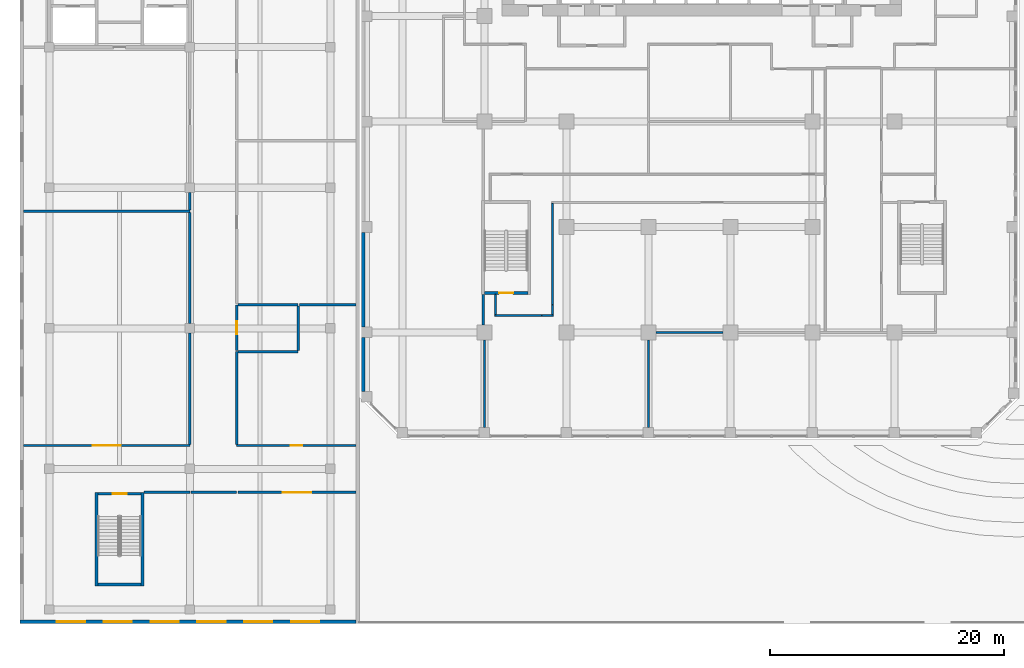
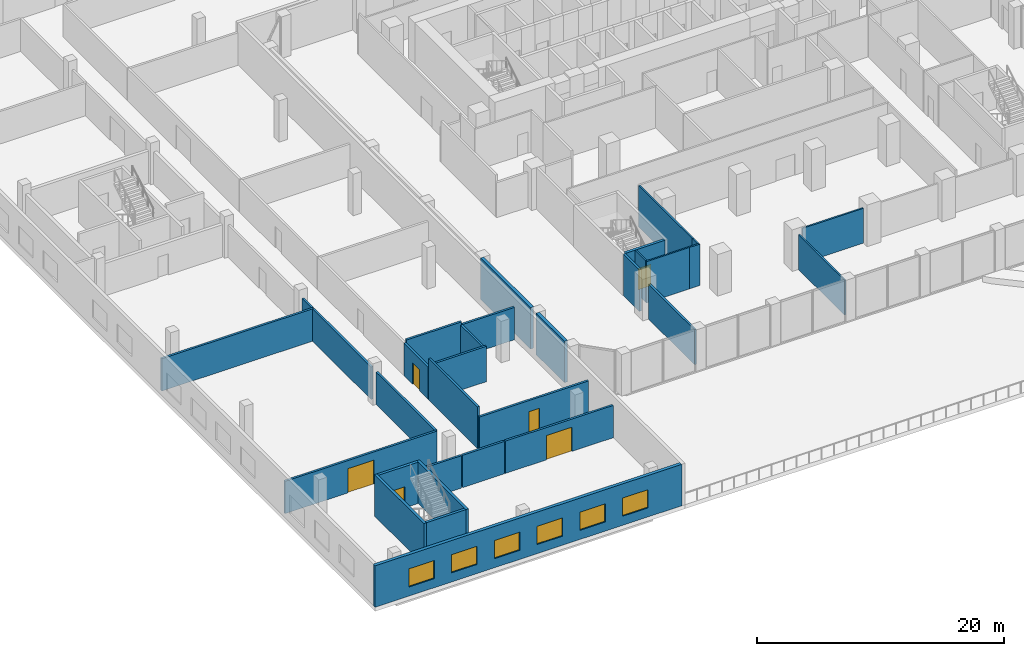
# One storey, part 17 of 38: 32 walls, 6 doors, 6 windows, 12 openings.
"""IFC4 building model written with IfcOpenShell, lengths in metres."""

from ifc_helpers import new_model, si_unit, direction, frame, frame_2d, origin, place, context, subcontext, project, spatial, rectangle, extrude, source, transform, mapped, material, layer, layer_set, type_object, element, fill, save


model = new_model("IFC4")

# Units and contexts
model_context = context("Model", 3, precision=1e-05, world=origin(), true_north=direction((0.0, 1.0)))
body_context = subcontext(model_context, "Body", "Model", "MODEL_VIEW")
ifc_project = project(units=[si_unit("LENGTHUNIT", "METRE"), si_unit("AREAUNIT", "SQUARE_METRE"), si_unit("VOLUMEUNIT", "CUBIC_METRE"), si_unit("PLANEANGLEUNIT", "RADIAN"), si_unit("MASSUNIT", "GRAM", prefix="KILO")], contexts=[model_context])

# Site, building, storey
site_placement = place(None, origin())
site = spatial("IfcSite", under=ifc_project, at=site_placement, CompositionType="ELEMENT")
building_placement = place(site_placement, origin())
building = spatial("IfcBuilding", under=site, at=building_placement, Name="Kilnfold Tower and Market Hall", CompositionType="ELEMENT")
storey_placement = place(building_placement, frame((0.0, 0.0, 9.0)))
storey = spatial("IfcBuildingStorey", under=building, at=storey_placement, Name="L01", CompositionType="ELEMENT", Elevation=9.0)

# Walls
ifc_material_1 = material(Name="Gypsum board on steel studs", Category="steel")
ifc_layer_1 = layer(ifc_material_1, 0.14990234375)
ifc_layer_set_1 = layer_set([ifc_layer_1], Name="Gypsum board on steel studs")
wall_type_1 = type_object("IfcWallType", Name="WALL CORRIDOR 150", PredefinedType="PARTITIONING", material=ifc_layer_set_1)
wall_1_placement = place(storey_placement, frame((-3.5, -27.10009765625, 0.0), z_axis=(0.0, 0.0, 1.0), x_axis=(0.0, 1.0, 0.0)))
element("IfcWall", 1, at=wall_1_placement, inside=storey, type_object=wall_type_1, Name="Partition LY02.2", PredefinedType="PARTITIONING", context=body_context, shape_type="SweptSolid", body=[
    extrude(rectangle(XDim=7.4501953125, YDim=0.14990234375, at=frame_2d((3.72509765625, 0.0))), origin(), (0.0, 0.0, 1.0), 3.449951171875),
])
wall_2_placement = place(storey_placement, frame((-2.85009765625, -19.0, 0.0), z_axis=(0.0, 0.0, 1.0), x_axis=(1.0, 0.0, 0.0)))
element("IfcWall", 2, at=wall_2_placement, inside=storey, type_object=wall_type_1, Name="Partition LY02.3", PredefinedType="PARTITIONING", context=body_context, shape_type="SweptSolid", body=[
    extrude(rectangle(XDim=5.7001953125, YDim=0.14990234375, at=frame_2d((2.85009765625, 0.0))), origin(), (0.0, 0.0, 1.0), 3.449951171875),
])
wall_3_placement = place(storey_placement, frame((-16.625, -17.550048828125, 0.0), z_axis=(0.0, 0.0, 1.0), x_axis=(1.0, 0.0, 0.0)))
element("IfcWall", 3, at=wall_3_placement, inside=storey, type_object=wall_type_1, Name="Partition LY02.17", PredefinedType="PARTITIONING", context=body_context, shape_type="SweptSolid", body=[
    extrude(rectangle(XDim=4.02294921875, YDim=0.14990234375, at=frame_2d((2.011474609375, 0.0))), origin(), (0.0, 0.0, 1.0), 4.10009765625),
])
wall_4_placement = place(storey_placement, frame((-16.550048828125, -15.75, 0.0), z_axis=(0.0, 0.0, 1.0), x_axis=(0.0, -1.0, 0.0)))
element("IfcWall", 4, at=wall_4_placement, inside=storey, type_object=wall_type_1, Name="Partition LY02.18", PredefinedType="PARTITIONING", context=body_context, shape_type="SweptSolid", body=[
    extrude(rectangle(XDim=1.72509765625, YDim=0.14990234375, at=frame_2d((0.862548828125, 0.0))), origin(), (0.0, 0.0, 1.0), 4.10009765625),
])
wall_5_placement = place(storey_placement, frame((-11.699951171875, -16.64794921875, 0.0), z_axis=(0.0, 0.0, 1.0), x_axis=(0.0, 1.0, 0.0)))
element("IfcWall", 5, at=wall_5_placement, inside=storey, type_object=wall_type_1, Name="Partition LY02.20", PredefinedType="PARTITIONING", context=body_context, shape_type="SweptSolid", body=[
    extrude(rectangle(XDim=8.6728515625, YDim=0.14990234375, at=frame_2d((4.33642578125, 0.0))), origin(), (0.0, 0.0, 1.0), 4.10009765625),
])
wall_6_placement = place(storey_placement, frame((-11.697998046875, -17.47705078125, 0.0), z_axis=(0.0, 0.0, 1.0), x_axis=(0.0, 1.0, 0.0)))
element("IfcWall", 6, at=wall_6_placement, inside=storey, type_object=wall_type_1, Name="Partition LY02.21", PredefinedType="PARTITIONING", context=body_context, shape_type="SweptSolid", body=[
    extrude(rectangle(XDim=0.8291015625, YDim=0.14990234375, at=frame_2d((0.41455078125, 0.0))), origin(), (0.0, 0.0, 1.0), 4.10009765625),
])
wall_7_placement = place(storey_placement, frame((-12.60205078125, -17.552001953125, 0.0), z_axis=(0.0, 0.0, 1.0), x_axis=(1.0, 0.0, 0.0)))
element("IfcWall", 7, at=wall_7_placement, inside=storey, type_object=wall_type_1, Name="Partition LY02.22", PredefinedType="PARTITIONING", context=body_context, shape_type="SweptSolid", body=[
    extrude(rectangle(XDim=0.97900390625, YDim=0.14990234375, at=frame_2d((0.489501953125, 0.0))), origin(), (0.0, 0.0, 1.0), 4.10009765625),
])
ifc_material_2 = material(Name="Gypsum board on steel studs", Category="steel")
ifc_layer_2 = layer(ifc_material_2, 0.199951171875)
ifc_layer_set_2 = layer_set([ifc_layer_2], Name="Gypsum board on steel studs")
wall_type_2 = type_object("IfcWallType", Name="WALL PARTY 200", PredefinedType="PARTITIONING", material=ifc_layer_set_2)
wall_8_placement = place(storey_placement, frame((-17.60009765625, -18.35009765625, 0.0), z_axis=(0.0, 0.0, 1.0), x_axis=(0.0, 1.0, 0.0)))
element("IfcWall", 8, at=wall_8_placement, inside=storey, type_object=wall_type_2, Name="Partition LY02.46", PredefinedType="PARTITIONING", context=body_context, shape_type="SweptSolid", body=[
    extrude(rectangle(XDim=2.60009765625, YDim=0.199951171875, at=frame_2d((1.300048828125, 0.0))), origin(), (0.0, 0.0, 1.0), 4.10009765625),
])
wall_9_placement = place(storey_placement, frame((-17.5, -27.10009765625, 0.0), z_axis=(0.0, 0.0, 1.0), x_axis=(0.0, 1.0, 0.0)))
element("IfcWall", 9, at=wall_9_placement, inside=storey, type_object=wall_type_2, Name="Partition LY02.47", PredefinedType="PARTITIONING", context=body_context, shape_type="SweptSolid", body=[
    extrude(rectangle(XDim=7.4501953125, YDim=0.199951171875, at=frame_2d((3.72509765625, 0.0))), origin(), (0.0, 0.0, 1.0), 3.449951171875),
])

# Wall, opening, door
ifc_material_3 = material(Name="Concrete C80", Category="concrete")
ifc_layer_3 = layer(ifc_material_3, 0.25)
ifc_layer_set_3 = layer_set([ifc_layer_3], Name="Concrete C80")
wall_type_3 = type_object("IfcWallType", Name="CORE WALL 250 C80", PredefinedType="SHEAR", material=ifc_layer_set_3)
shared_shape_1 = source(origin(), body_context, "Body", "SweptSolid", [
    extrude(rectangle(XDim=3.699951171875, YDim=0.25, at=frame_2d((1.85009765625, 0.0))), origin(), (0.0, 0.0, 1.0), 4.10009765625),
])
wall_10_placement = place(storey_placement, frame((-17.5, -15.625, 0.0), z_axis=(0.0, 0.0, 1.0), x_axis=(1.0, 0.0, 0.0)))
wall_10 = element("IfcWall", 10, at=wall_10_placement, inside=storey, type_object=wall_type_3, Name="Stair enclosure ST3", PredefinedType="SHEAR", context=body_context, shape_type="MappedRepresentation", body=[
    mapped(shared_shape_1, transform((0.0, 0.0, 0.0))),
])
opening_1_placement = place(wall_10_placement, frame((1.25, 0.0, 0.0)))
opening_1 = element("IfcOpeningElement", 11, at=opening_1_placement, cuts=wall_10, Name="Opening SD1", PredefinedType="OPENING", context=body_context, shape_type="SweptSolid", body=[
    extrude(rectangle(XDim=1.199951171875, YDim=2.10009765625, at=frame_2d((0.60009765625, 1.050048828125))), frame((0.0, 0.135009765625, 0.0), z_axis=(0.0, -1.0, 0.0), x_axis=(1.0, 0.0, 0.0)), (0.0, 0.0, 1.0), 0.27001953125),
])
ifc_material_4 = material(Name="Steel door set with fire-resisting leaf", Category="steel")
door_type_1 = type_object("IfcDoorType", Name="STAIR FLOOR DOOR 1200X2100", OperationType="NOTDEFINED", PredefinedType="DOOR", material=ifc_material_4)
door_1_placement = place(opening_1_placement, origin())
door_1 = element("IfcDoor", 12, at=door_1_placement, inside=storey, type_object=door_type_1, Name="Exit stair ST3 door", OperationType="DOUBLE_DOOR_SINGLE_SWING", OverallHeight=2.10009765625, OverallWidth=1.199951171875, PredefinedType="DOOR", context=body_context, shape_type="SweptSolid", body=[
    extrude(rectangle(XDim=1.199951171875, YDim=2.10009765625, at=frame_2d((0.60009765625, 1.050048828125))), frame((0.0, 0.02490234375, 0.0), z_axis=(0.0, -1.0, 0.0), x_axis=(1.0, 0.0, 0.0)), (0.0, 0.0, 1.0), 0.050048828125),
])
fill(opening_1, door_1)

# Wall
ifc_material_5 = material(Name="Concrete C50/60", Category="concrete")
ifc_layer_4 = layer(ifc_material_5, 0.25)
ifc_layer_set_4 = layer_set([ifc_layer_4], Name="Concrete C50/60")
wall_type_4 = type_object("IfcWallType", Name="HALL CORE WALL 250", PredefinedType="SHEAR", material=ifc_layer_set_4)
wall_11_placement = place(storey_placement, frame((-50.5, -40.52490234375, 0.0), z_axis=(0.0, 0.0, 1.0), x_axis=(1.0, 0.0, 0.0)))
element("IfcWall", 13, at=wall_11_placement, inside=storey, type_object=wall_type_4, Name="Core wall MS1", PredefinedType="SHEAR", context=body_context, shape_type="MappedRepresentation", body=[
    mapped(shared_shape_1, transform((0.0, 0.0, 0.0))),
])

# Wall, opening, door
wall_12_placement = place(storey_placement, frame((-50.5, -32.77490234375, 0.0), z_axis=(0.0, 0.0, 1.0), x_axis=(1.0, 0.0, 0.0)))
wall_12 = element("IfcWall", 14, at=wall_12_placement, inside=storey, type_object=wall_type_4, Name="Core wall MS1", PredefinedType="SHEAR", context=body_context, shape_type="MappedRepresentation", body=[
    mapped(shared_shape_1, transform((0.0, 0.0, 0.0))),
])
opening_2_placement = place(wall_12_placement, frame((1.25, 0.0, 0.0)))
opening_2 = element("IfcOpeningElement", 15, at=opening_2_placement, cuts=wall_12, Name="Opening MD9-60", PredefinedType="OPENING", context=body_context, shape_type="SweptSolid", body=[
    extrude(rectangle(XDim=1.199951171875, YDim=2.10009765625, at=frame_2d((0.60009765625, 1.050048828125))), frame((0.0, 0.135009765625, 0.0), z_axis=(0.0, -1.0, 0.0), x_axis=(1.0, 0.0, 0.0)), (0.0, 0.0, 1.0), 0.27001953125),
])
ifc_material_6 = material(Name="Steel S355", Category="steel")
door_type_2 = type_object("IfcDoorType", Name="HALL DOOR STAIR 1200X2100 FD60", OperationType="NOTDEFINED", PredefinedType="DOOR", material=ifc_material_6)
door_2_placement = place(opening_2_placement, origin())
door_2 = element("IfcDoor", 16, at=door_2_placement, inside=storey, type_object=door_type_2, Name="Door MD9-60", OperationType="DOUBLE_DOOR_SINGLE_SWING", OverallHeight=2.10009765625, OverallWidth=1.199951171875, PredefinedType="DOOR", context=body_context, shape_type="SweptSolid", body=[
    extrude(rectangle(XDim=1.199951171875, YDim=2.10009765625, at=frame_2d((0.60009765625, 1.050048828125))), frame((0.0, 0.02490234375, 0.0), z_axis=(0.0, -1.0, 0.0), x_axis=(1.0, 0.0, 0.0)), (0.0, 0.0, 1.0), 0.050048828125),
])
fill(opening_2, door_2)

# Walls
shared_shape_2 = source(origin(), body_context, "Body", "SweptSolid", [
    extrude(rectangle(XDim=8.0, YDim=0.25, at=frame_2d((4.0, 0.0))), origin(), (0.0, 0.0, 1.0), 4.10009765625),
])
for number, where, z_axis, x_axis, name in (
    (17, (-50.625, -40.64990234375, 0.0), (0.0, 0.0, 1.0), (0.0, 1.0, 0.0), "Core wall MS1"),
    (18, (-46.675048828125, -40.64990234375, 0.0), (0.0, 0.0, 1.0), (0.0, 1.0, 0.0), "Core wall MS1"),
):
    element("IfcWall", number, at=place(storey_placement, frame(where, z_axis=z_axis, x_axis=x_axis)), inside=storey, type_object=wall_type_4, Name=name, PredefinedType="SHEAR", context=body_context, shape_type="MappedRepresentation", body=[
        mapped(shared_shape_2, transform((0.0, 0.0, 0.0))),
    ])
ifc_material_7 = material(Name="Precast concrete C50/60", Category="concrete")
ifc_layer_5 = layer(ifc_material_7, 0.300048828125)
ifc_layer_set_5 = layer_set([ifc_layer_5], Name="Precast concrete C50/60")
wall_type_5 = type_object("IfcWallType", Name="PRECAST WALL 300", PredefinedType="SOLIDWALL", material=ifc_layer_set_5)
shared_shape_3 = source(origin(), body_context, "Body", "SweptSolid", [
    extrude(rectangle(XDim=8.10009765625, YDim=0.300048828125, at=frame_2d((4.050048828125, 0.0))), origin(), (0.0, 0.0, 1.0), 4.10009765625),
])
wall_13_placement = place(storey_placement, frame((-27.85009765625, -10.449951171875, 0.0), z_axis=(0.0, 0.0, 1.0), x_axis=(0.0, -1.0, 0.0)))
element("IfcWall", 19, at=wall_13_placement, inside=storey, type_object=wall_type_5, Name="Party wall L01 W", PredefinedType="SOLIDWALL", context=body_context, shape_type="MappedRepresentation", body=[
    mapped(shared_shape_3, transform((0.0, 0.0, 0.0))),
])
shared_shape_4 = source(origin(), body_context, "Body", "SweptSolid", [
    extrude(rectangle(XDim=4.60009765625, YDim=0.300048828125, at=frame_2d((2.300048828125, 0.0))), origin(), (0.0, 0.0, 1.0), 4.10009765625),
])
wall_14_placement = place(storey_placement, frame((-27.85009765625, -19.449951171875, 0.0), z_axis=(0.0, 0.0, 1.0), x_axis=(0.0, -1.0, 0.0)))
element("IfcWall", 20, at=wall_14_placement, inside=storey, type_object=wall_type_5, Name="Party wall L01 W", PredefinedType="SOLIDWALL", context=body_context, shape_type="MappedRepresentation", body=[
    mapped(shared_shape_4, transform((0.0, 0.0, 0.0))),
])

# Wall, openings, windows
ifc_material_8 = material(Name="Concrete blockwork", Category="masonry")
ifc_layer_6 = layer(ifc_material_8, 0.300048828125)
ifc_layer_set_6 = layer_set([ifc_layer_6], Name="Concrete blockwork")
wall_type_6 = type_object("IfcWallType", Name="HALL EXTERNAL WALL 300 EI 60", PredefinedType="SOLIDWALL", material=ifc_layer_set_6)
shared_shape_5 = source(origin(), body_context, "Body", "SweptSolid", [
    extrude(rectangle(XDim=28.699951171875, YDim=0.300048828125, at=frame_2d((14.35009765625, 0.0))), origin(), (0.0, 0.0, 1.0), 4.10009765625),
])
wall_15_placement = place(storey_placement, frame((-28.449951171875, -43.699951171875, 0.0), z_axis=(0.0, 0.0, 1.0), x_axis=(-1.0, 0.0, 0.0)))
wall_15 = element("IfcWall", 21, at=wall_15_placement, inside=storey, type_object=wall_type_6, Name="External wall MEW-L01.6", PredefinedType="SOLIDWALL", context=body_context, shape_type="MappedRepresentation", body=[
    mapped(shared_shape_5, transform((0.0, 0.0, 0.0))),
])
opening_3_placement = place(wall_15_placement, frame((3.14990234375, 0.0, 0.89990234375)))
opening_3 = element("IfcOpeningElement", 22, at=opening_3_placement, cuts=wall_15, Name="Opening MEN3", PredefinedType="OPENING", context=body_context, shape_type="SweptSolid", body=[
    extrude(rectangle(XDim=2.39990234375, YDim=1.800048828125, at=frame_2d((1.199951171875, 0.89990234375))), frame((0.0, 0.16015625, 0.0), z_axis=(0.0, -1.0, 0.0), x_axis=(1.0, 0.0, 0.0)), (0.0, 0.0, 1.0), 0.320068359375),
])
opening_4_placement = place(wall_15_placement, frame((7.14990234375, 0.0, 0.89990234375)))
opening_4 = element("IfcOpeningElement", 23, at=opening_4_placement, cuts=wall_15, Name="Opening MEN3", PredefinedType="OPENING", context=body_context, shape_type="SweptSolid", body=[
    extrude(rectangle(XDim=2.39990234375, YDim=1.800048828125, at=frame_2d((1.199951171875, 0.89990234375))), frame((0.0, 0.16015625, 0.0), z_axis=(0.0, -1.0, 0.0), x_axis=(1.0, 0.0, 0.0)), (0.0, 0.0, 1.0), 0.320068359375),
])
opening_5_placement = place(wall_15_placement, frame((11.14990234375, 0.0, 0.89990234375)))
opening_5 = element("IfcOpeningElement", 24, at=opening_5_placement, cuts=wall_15, Name="Opening MEN3", PredefinedType="OPENING", context=body_context, shape_type="SweptSolid", body=[
    extrude(rectangle(XDim=2.39990234375, YDim=1.800048828125, at=frame_2d((1.199951171875, 0.89990234375))), frame((0.0, 0.16015625, 0.0), z_axis=(0.0, -1.0, 0.0), x_axis=(1.0, 0.0, 0.0)), (0.0, 0.0, 1.0), 0.320068359375),
])
opening_6_placement = place(wall_15_placement, frame((15.14990234375, 0.0, 0.89990234375)))
opening_6 = element("IfcOpeningElement", 25, at=opening_6_placement, cuts=wall_15, Name="Opening MEN3", PredefinedType="OPENING", context=body_context, shape_type="SweptSolid", body=[
    extrude(rectangle(XDim=2.39990234375, YDim=1.800048828125, at=frame_2d((1.199951171875, 0.89990234375))), frame((0.0, 0.16015625, 0.0), z_axis=(0.0, -1.0, 0.0), x_axis=(1.0, 0.0, 0.0)), (0.0, 0.0, 1.0), 0.320068359375),
])
opening_7_placement = place(wall_15_placement, frame((19.14990234375, 0.0, 0.89990234375)))
opening_7 = element("IfcOpeningElement", 26, at=opening_7_placement, cuts=wall_15, Name="Opening MEN3", PredefinedType="OPENING", context=body_context, shape_type="SweptSolid", body=[
    extrude(rectangle(XDim=2.39990234375, YDim=1.800048828125, at=frame_2d((1.199951171875, 0.89990234375))), frame((0.0, 0.16015625, 0.0), z_axis=(0.0, -1.0, 0.0), x_axis=(1.0, 0.0, 0.0)), (0.0, 0.0, 1.0), 0.320068359375),
])
opening_8_placement = place(wall_15_placement, frame((23.14990234375, 0.0, 0.89990234375)))
opening_8 = element("IfcOpeningElement", 27, at=opening_8_placement, cuts=wall_15, Name="Opening MEN3", PredefinedType="OPENING", context=body_context, shape_type="SweptSolid", body=[
    extrude(rectangle(XDim=2.39990234375, YDim=1.800048828125, at=frame_2d((1.199951171875, 0.89990234375))), frame((0.0, 0.16015625, 0.0), z_axis=(0.0, -1.0, 0.0), x_axis=(1.0, 0.0, 0.0)), (0.0, 0.0, 1.0), 0.320068359375),
])
ifc_material_9 = material(Name="Aluminium glazing", Category="aluminium")
window_type = type_object("IfcWindowType", Name="HALL WINDOW 2400X1800", PartitioningType="SINGLE_PANEL", PredefinedType="WINDOW", material=ifc_material_9)
window_1_placement = place(opening_3_placement, origin())
window_1 = element("IfcWindow", 28, at=window_1_placement, inside=storey, type_object=window_type, Name="Window upper", OverallHeight=1.800048828125, OverallWidth=2.39990234375, PartitioningType="SINGLE_PANEL", PredefinedType="WINDOW", context=body_context, shape_type="SweptSolid", body=[
    extrude(rectangle(XDim=2.39990234375, YDim=1.800048828125, at=frame_2d((1.199951171875, 0.89990234375))), frame((0.0, 0.030029296875, 0.0), z_axis=(0.0, -1.0, 0.0), x_axis=(1.0, 0.0, 0.0)), (0.0, 0.0, 1.0), 0.06005859375),
])
fill(opening_3, window_1)
window_2_placement = place(opening_4_placement, origin())
window_2 = element("IfcWindow", 29, at=window_2_placement, inside=storey, type_object=window_type, Name="Window upper", OverallHeight=1.800048828125, OverallWidth=2.39990234375, PartitioningType="SINGLE_PANEL", PredefinedType="WINDOW", context=body_context, shape_type="SweptSolid", body=[
    extrude(rectangle(XDim=2.39990234375, YDim=1.800048828125, at=frame_2d((1.199951171875, 0.89990234375))), frame((0.0, 0.030029296875, 0.0), z_axis=(0.0, -1.0, 0.0), x_axis=(1.0, 0.0, 0.0)), (0.0, 0.0, 1.0), 0.06005859375),
])
fill(opening_4, window_2)
window_3_placement = place(opening_5_placement, origin())
window_3 = element("IfcWindow", 30, at=window_3_placement, inside=storey, type_object=window_type, Name="Window upper", OverallHeight=1.800048828125, OverallWidth=2.39990234375, PartitioningType="SINGLE_PANEL", PredefinedType="WINDOW", context=body_context, shape_type="SweptSolid", body=[
    extrude(rectangle(XDim=2.39990234375, YDim=1.800048828125, at=frame_2d((1.199951171875, 0.89990234375))), frame((0.0, 0.030029296875, 0.0), z_axis=(0.0, -1.0, 0.0), x_axis=(1.0, 0.0, 0.0)), (0.0, 0.0, 1.0), 0.06005859375),
])
fill(opening_5, window_3)
window_4_placement = place(opening_6_placement, origin())
window_4 = element("IfcWindow", 31, at=window_4_placement, inside=storey, type_object=window_type, Name="Window upper", OverallHeight=1.800048828125, OverallWidth=2.39990234375, PartitioningType="SINGLE_PANEL", PredefinedType="WINDOW", context=body_context, shape_type="SweptSolid", body=[
    extrude(rectangle(XDim=2.39990234375, YDim=1.800048828125, at=frame_2d((1.199951171875, 0.89990234375))), frame((0.0, 0.030029296875, 0.0), z_axis=(0.0, -1.0, 0.0), x_axis=(1.0, 0.0, 0.0)), (0.0, 0.0, 1.0), 0.06005859375),
])
fill(opening_6, window_4)
window_5_placement = place(opening_7_placement, origin())
window_5 = element("IfcWindow", 32, at=window_5_placement, inside=storey, type_object=window_type, Name="Window upper", OverallHeight=1.800048828125, OverallWidth=2.39990234375, PartitioningType="SINGLE_PANEL", PredefinedType="WINDOW", context=body_context, shape_type="SweptSolid", body=[
    extrude(rectangle(XDim=2.39990234375, YDim=1.800048828125, at=frame_2d((1.199951171875, 0.89990234375))), frame((0.0, 0.030029296875, 0.0), z_axis=(0.0, -1.0, 0.0), x_axis=(1.0, 0.0, 0.0)), (0.0, 0.0, 1.0), 0.06005859375),
])
fill(opening_7, window_5)
window_6_placement = place(opening_8_placement, origin())
window_6 = element("IfcWindow", 33, at=window_6_placement, inside=storey, type_object=window_type, Name="Window upper", OverallHeight=1.800048828125, OverallWidth=2.39990234375, PartitioningType="SINGLE_PANEL", PredefinedType="WINDOW", context=body_context, shape_type="SweptSolid", body=[
    extrude(rectangle(XDim=2.39990234375, YDim=1.800048828125, at=frame_2d((1.199951171875, 0.89990234375))), frame((0.0, 0.030029296875, 0.0), z_axis=(0.0, -1.0, 0.0), x_axis=(1.0, 0.0, 0.0)), (0.0, 0.0, 1.0), 0.06005859375),
])
fill(opening_8, window_6)

# Wall, opening, door
ifc_material_10 = material(Name="Concrete blockwork", Category="masonry")
ifc_layer_7 = layer(ifc_material_10, 0.199951171875)
ifc_layer_set_7 = layer_set([ifc_layer_7], Name="Concrete blockwork")
wall_type_7 = type_object("IfcWallType", Name="HALL PARTITION 200 EI 60", PredefinedType="PARTITIONING", material=ifc_layer_set_7)
shared_shape_6 = source(origin(), body_context, "Body", "SweptSolid", [
    extrude(rectangle(XDim=14.2001953125, YDim=0.199951171875, at=frame_2d((7.10009765625, 0.0))), origin(), (0.0, 0.0, 1.0), 3.199951171875),
])
wall_16_placement = place(storey_placement, frame((-56.85009765625, -28.64990234375, 0.0), z_axis=(0.0, 0.0, 1.0), x_axis=(1.0, 0.0, 0.0)))
wall_16 = element("IfcWall", 34, at=wall_16_placement, inside=storey, type_object=wall_type_7, Name="Partition W-MH-L01.1", PredefinedType="PARTITIONING", context=body_context, shape_type="MappedRepresentation", body=[
    mapped(shared_shape_6, transform((0.0, 0.0, 0.0))),
])
opening_9_placement = place(wall_16_placement, frame((5.89990234375, 0.0, 0.0)))
opening_9 = element("IfcOpeningElement", 35, at=opening_9_placement, cuts=wall_16, Name="Opening MD7-60", PredefinedType="OPENING", context=body_context, shape_type="SweptSolid", body=[
    extrude(rectangle(XDim=2.39990234375, YDim=2.39990234375, at=frame_2d((1.199951171875, 1.199951171875))), frame((0.0, 0.10986328125, 0.0), z_axis=(0.0, -1.0, 0.0), x_axis=(1.0, 0.0, 0.0)), (0.0, 0.0, 1.0), 0.219970703125),
])
ifc_material_11 = material(Name="Aluminium glazing", Category="aluminium")
door_type_3 = type_object("IfcDoorType", Name="HALL DOOR HALL 2400X2400 FD60", OperationType="NOTDEFINED", PredefinedType="DOOR", material=ifc_material_11)
door_3_placement = place(opening_9_placement, origin())
door_3 = element("IfcDoor", 36, at=door_3_placement, inside=storey, type_object=door_type_3, Name="Door MD7-60", OperationType="DOUBLE_DOOR_SINGLE_SWING", OverallHeight=2.39990234375, OverallWidth=2.39990234375, PredefinedType="DOOR", context=body_context, shape_type="SweptSolid", body=[
    extrude(rectangle(XDim=2.39990234375, YDim=2.39990234375, at=frame_2d((1.199951171875, 1.199951171875))), frame((0.0, 0.02490234375, 0.0), z_axis=(0.0, -1.0, 0.0), x_axis=(1.0, 0.0, 0.0)), (0.0, 0.0, 1.0), 0.050048828125),
])
fill(opening_9, door_3)

# Walls
ifc_material_12 = material(Name="Concrete blockwork", Category="masonry")
ifc_layer_8 = layer(ifc_material_12, 0.199951171875)
ifc_layer_set_8 = layer_set([ifc_layer_8], Name="Concrete blockwork")
wall_type_8 = type_object("IfcWallType", Name="HALL PARTITION 200 EI 120", PredefinedType="PARTITIONING", material=ifc_layer_set_8)
wall_17_placement = place(storey_placement, frame((-56.85009765625, -8.64990234375, 0.0), z_axis=(0.0, 0.0, 1.0), x_axis=(1.0, 0.0, 0.0)))
element("IfcWall", 37, at=wall_17_placement, inside=storey, type_object=wall_type_8, Name="Partition W-MH-L01.2", PredefinedType="PARTITIONING", context=body_context, shape_type="MappedRepresentation", body=[
    mapped(shared_shape_6, transform((0.0, 0.0, 0.0))),
])
shared_shape_7 = source(origin(), body_context, "Body", "SweptSolid", [
    extrude(rectangle(XDim=3.900146484375, YDim=0.199951171875, at=frame_2d((1.9501953125, 0.0))), origin(), (0.0, 0.0, 1.0), 3.199951171875),
])
for number, where, z_axis, x_axis, name in (
    (38, (-42.64990234375, -32.64990234375, 0.0), (0.0, 0.0, 1.0), (-1.0, 0.0, 0.0), "Partition W-MH-L01.6"),
    (39, (-38.64990234375, -32.64990234375, 0.0), (0.0, 0.0, 1.0), (-1.0, 0.0, 0.0), "Partition W-MH-L01.16"),
):
    element("IfcWall", number, at=place(storey_placement, frame(where, z_axis=z_axis, x_axis=x_axis)), inside=storey, type_object=wall_type_7, Name=name, PredefinedType="PARTITIONING", context=body_context, shape_type="MappedRepresentation", body=[
        mapped(shared_shape_7, transform((0.0, 0.0, 0.0))),
    ])

# Wall, opening, door
wall_18_placement = place(storey_placement, frame((-38.64990234375, -16.64990234375, 0.0), z_axis=(0.0, 0.0, 1.0), x_axis=(0.0, -1.0, 0.0)))
wall_18 = element("IfcWall", 40, at=wall_18_placement, inside=storey, type_object=wall_type_7, Name="Partition W-MH-L01.20", PredefinedType="PARTITIONING", context=body_context, shape_type="MappedRepresentation", body=[
    mapped(shared_shape_7, transform((0.0, 0.0, 0.0))),
])
opening_10_placement = place(wall_18_placement, frame((1.39990234375, 0.0, 0.0)))
opening_10 = element("IfcOpeningElement", 41, at=opening_10_placement, cuts=wall_18, Name="Opening MD2-60", PredefinedType="OPENING", context=body_context, shape_type="SweptSolid", body=[
    extrude(rectangle(XDim=1.10009765625, YDim=2.10009765625, at=frame_2d((0.550048828125, 1.050048828125))), frame((0.0, 0.10986328125, 0.0), z_axis=(0.0, -1.0, 0.0), x_axis=(1.0, 0.0, 0.0)), (0.0, 0.0, 1.0), 0.219970703125),
])
ifc_material_13 = material(Name="Timber", Category="wood")
door_type_4 = type_object("IfcDoorType", Name="HALL DOOR AWC 1100X2100 FD60", OperationType="NOTDEFINED", PredefinedType="DOOR", material=ifc_material_13)
door_4_placement = place(opening_10_placement, origin())
door_4 = element("IfcDoor", 42, at=door_4_placement, inside=storey, type_object=door_type_4, Name="Door MD2-60", OperationType="SINGLE_SWING_LEFT", OverallHeight=2.10009765625, OverallWidth=1.10009765625, PredefinedType="DOOR", context=body_context, shape_type="SweptSolid", body=[
    extrude(rectangle(XDim=1.10009765625, YDim=2.10009765625, at=frame_2d((0.550048828125, 1.050048828125))), frame((0.0, 0.02490234375, 0.0), z_axis=(0.0, -1.0, 0.0), x_axis=(1.0, 0.0, 0.0)), (0.0, 0.0, 1.0), 0.050048828125),
])
fill(opening_10, door_4)

# Walls
shared_shape_8 = source(origin(), body_context, "Body", "SweptSolid", [
    extrude(rectangle(XDim=9.5, YDim=0.199951171875, at=frame_2d((4.75, 0.0))), origin(), (0.0, 0.0, 1.0), 3.199951171875),
])
for number, where, z_axis, x_axis, name in (
    (43, (-42.64990234375, -28.550048828125, 0.0), (0.0, 0.0, 1.0), (0.0, 1.0, 0.0), "Partition W-MH-L01.7"),
    (44, (-42.64990234375, -18.25, 0.0), (0.0, 0.0, 1.0), (0.0, 1.0, 0.0), "Partition W-MH-L01.8"),
):
    element("IfcWall", number, at=place(storey_placement, frame(where, z_axis=z_axis, x_axis=x_axis)), inside=storey, type_object=wall_type_7, Name=name, PredefinedType="PARTITIONING", context=body_context, shape_type="MappedRepresentation", body=[
        mapped(shared_shape_8, transform((0.0, 0.0, 0.0))),
    ])
shared_shape_9 = source(origin(), body_context, "Body", "SweptSolid", [
    extrude(rectangle(XDim=1.5, YDim=0.199951171875, at=frame_2d((0.75, 0.0))), origin(), (0.0, 0.0, 1.0), 3.199951171875),
])
wall_19_placement = place(storey_placement, frame((-42.64990234375, -8.550048828125, 0.0), z_axis=(0.0, 0.0, 1.0), x_axis=(0.0, 1.0, 0.0)))
element("IfcWall", 45, at=wall_19_placement, inside=storey, type_object=wall_type_8, Name="Partition W-MH-L01.9", PredefinedType="PARTITIONING", context=body_context, shape_type="MappedRepresentation", body=[
    mapped(shared_shape_9, transform((0.0, 0.0, 0.0))),
])

# Wall, opening, door
shared_shape_10 = source(origin(), body_context, "Body", "SweptSolid", [
    extrude(rectangle(XDim=10.199951171875, YDim=0.199951171875, at=frame_2d((5.10009765625, 0.0))), origin(), (0.0, 0.0, 1.0), 3.199951171875),
])
wall_20_placement = place(storey_placement, frame((-38.64990234375, -28.64990234375, 0.0), z_axis=(0.0, 0.0, 1.0), x_axis=(1.0, 0.0, 0.0)))
wall_20 = element("IfcWall", 46, at=wall_20_placement, inside=storey, type_object=wall_type_7, Name="Partition W-MH-L01.17", PredefinedType="PARTITIONING", context=body_context, shape_type="MappedRepresentation", body=[
    mapped(shared_shape_10, transform((0.0, 0.0, 0.0))),
])
opening_11_placement = place(wall_20_placement, frame((4.60009765625, 0.0, 0.0)))
opening_11 = element("IfcOpeningElement", 47, at=opening_11_placement, cuts=wall_20, Name="Opening MD6-60", PredefinedType="OPENING", context=body_context, shape_type="SweptSolid", body=[
    extrude(rectangle(XDim=1.0, YDim=2.10009765625, at=frame_2d((0.5, 1.050048828125))), frame((0.0, 0.10986328125, 0.0), z_axis=(0.0, -1.0, 0.0), x_axis=(1.0, 0.0, 0.0)), (0.0, 0.0, 1.0), 0.219970703125),
])
ifc_material_14 = material(Name="Timber", Category="wood")
door_type_5 = type_object("IfcDoorType", Name="HALL DOOR WC 1000X2100 FD60", OperationType="NOTDEFINED", PredefinedType="DOOR", material=ifc_material_14)
door_5_placement = place(opening_11_placement, origin())
door_5 = element("IfcDoor", 48, at=door_5_placement, inside=storey, type_object=door_type_5, Name="Door MD6-60", OperationType="SINGLE_SWING_RIGHT", OverallHeight=2.10009765625, OverallWidth=1.0, PredefinedType="DOOR", context=body_context, shape_type="SweptSolid", body=[
    extrude(rectangle(XDim=1.0, YDim=2.10009765625, at=frame_2d((0.5, 1.050048828125))), frame((0.0, 0.02490234375, 0.0), z_axis=(0.0, -1.0, 0.0), x_axis=(1.0, 0.0, 0.0)), (0.0, 0.0, 1.0), 0.050048828125),
])
fill(opening_11, door_5)

# Walls
shared_shape_11 = source(origin(), body_context, "Body", "SweptSolid", [
    extrude(rectangle(XDim=7.900146484375, YDim=0.199951171875, at=frame_2d((3.9501953125, 0.0))), origin(), (0.0, 0.0, 1.0), 4.10009765625),
])
wall_21_placement = place(storey_placement, frame((-38.64990234375, -20.64990234375, 0.0), z_axis=(0.0, 0.0, 1.0), x_axis=(0.0, -1.0, 0.0)))
element("IfcWall", 49, at=wall_21_placement, inside=storey, type_object=wall_type_7, Name="Partition W-MH-L01.18", PredefinedType="PARTITIONING", context=body_context, shape_type="MappedRepresentation", body=[
    mapped(shared_shape_11, transform((0.0, 0.0, 0.0))),
])
shared_shape_12 = source(origin(), body_context, "Body", "SweptSolid", [
    extrude(rectangle(XDim=5.150146484375, YDim=0.199951171875, at=frame_2d((2.5751953125, 0.0))), origin(), (0.0, 0.0, 1.0), 3.5),
])
for number, where, z_axis, x_axis, name in (
    (50, (-38.550048828125, -20.64990234375, 0.0), (0.0, 0.0, 1.0), (1.0, 0.0, 0.0), "Partition W-MH-L01.19"),
    (51, (-38.550048828125, -16.64990234375, 0.0), (0.0, 0.0, 1.0), (1.0, 0.0, 0.0), "Partition W-MH-L01.21"),
):
    element("IfcWall", number, at=place(storey_placement, frame(where, z_axis=z_axis, x_axis=x_axis)), inside=storey, type_object=wall_type_7, Name=name, PredefinedType="PARTITIONING", context=body_context, shape_type="MappedRepresentation", body=[
        mapped(shared_shape_12, transform((0.0, 0.0, 0.0))),
    ])

# Wall, opening, door
shared_shape_13 = source(origin(), body_context, "Body", "SweptSolid", [
    extrude(rectangle(XDim=10.10009765625, YDim=0.199951171875, at=frame_2d((5.050048828125, 0.0))), origin(), (0.0, 0.0, 1.0), 3.199951171875),
])
wall_22_placement = place(storey_placement, frame((-28.449951171875, -32.64990234375, 0.0), z_axis=(0.0, 0.0, 1.0), x_axis=(-1.0, 0.0, 0.0)))
wall_22 = element("IfcWall", 52, at=wall_22_placement, inside=storey, type_object=wall_type_7, Name="Partition W-MH-L01.32", PredefinedType="PARTITIONING", context=body_context, shape_type="MappedRepresentation", body=[
    mapped(shared_shape_13, transform((0.0, 0.0, 0.0))),
])
opening_12_placement = place(wall_22_placement, frame((3.85009765625, 0.0, 0.0)))
opening_12 = element("IfcOpeningElement", 53, at=opening_12_placement, cuts=wall_22, Name="Opening MD7-60", PredefinedType="OPENING", context=body_context, shape_type="SweptSolid", body=[
    extrude(rectangle(XDim=2.39990234375, YDim=2.39990234375, at=frame_2d((1.199951171875, 1.199951171875))), frame((0.0, 0.10986328125, 0.0), z_axis=(0.0, -1.0, 0.0), x_axis=(1.0, 0.0, 0.0)), (0.0, 0.0, 1.0), 0.219970703125),
])
door_6_placement = place(opening_12_placement, origin())
door_6 = element("IfcDoor", 54, at=door_6_placement, inside=storey, type_object=door_type_3, Name="Door MD7-60", OperationType="DOUBLE_DOOR_SINGLE_SWING", OverallHeight=2.39990234375, OverallWidth=2.39990234375, PredefinedType="DOOR", context=body_context, shape_type="SweptSolid", body=[
    extrude(rectangle(XDim=2.39990234375, YDim=2.39990234375, at=frame_2d((1.199951171875, 1.199951171875))), frame((0.0, 0.02490234375, 0.0), z_axis=(0.0, -1.0, 0.0), x_axis=(1.0, 0.0, 0.0)), (0.0, 0.0, 1.0), 0.050048828125),
])
fill(opening_12, door_6)

# Walls
shared_shape_14 = source(origin(), body_context, "Body", "SweptSolid", [
    extrude(rectangle(XDim=3.800048828125, YDim=0.199951171875, at=frame_2d((1.89990234375, 0.0))), origin(), (0.0, 0.0, 1.0), 3.199951171875),
])
wall_23_placement = place(storey_placement, frame((-33.39990234375, -20.550048828125, 0.0), z_axis=(0.0, 0.0, 1.0), x_axis=(0.0, 1.0, 0.0)))
element("IfcWall", 55, at=wall_23_placement, inside=storey, type_object=wall_type_7, Name="Partition W-MH-L01.29", PredefinedType="PARTITIONING", context=body_context, shape_type="MappedRepresentation", body=[
    mapped(shared_shape_14, transform((0.0, 0.0, 0.0))),
])
shared_shape_15 = source(origin(), body_context, "Body", "SweptSolid", [
    extrude(rectangle(XDim=4.85009765625, YDim=0.199951171875, at=frame_2d((2.425048828125, 0.0))), origin(), (0.0, 0.0, 1.0), 3.199951171875),
])
wall_24_placement = place(storey_placement, frame((-33.300048828125, -16.64990234375, 0.0), z_axis=(0.0, 0.0, 1.0), x_axis=(1.0, 0.0, 0.0)))
element("IfcWall", 56, at=wall_24_placement, inside=storey, type_object=wall_type_7, Name="Partition W-MH-L01.30", PredefinedType="PARTITIONING", context=body_context, shape_type="MappedRepresentation", body=[
    mapped(shared_shape_15, transform((0.0, 0.0, 0.0))),
])

save(model, "model.ifc")
